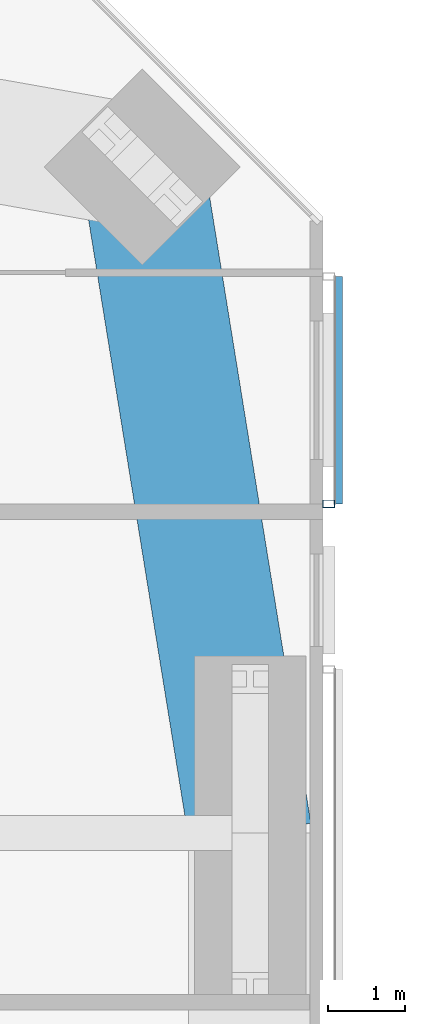
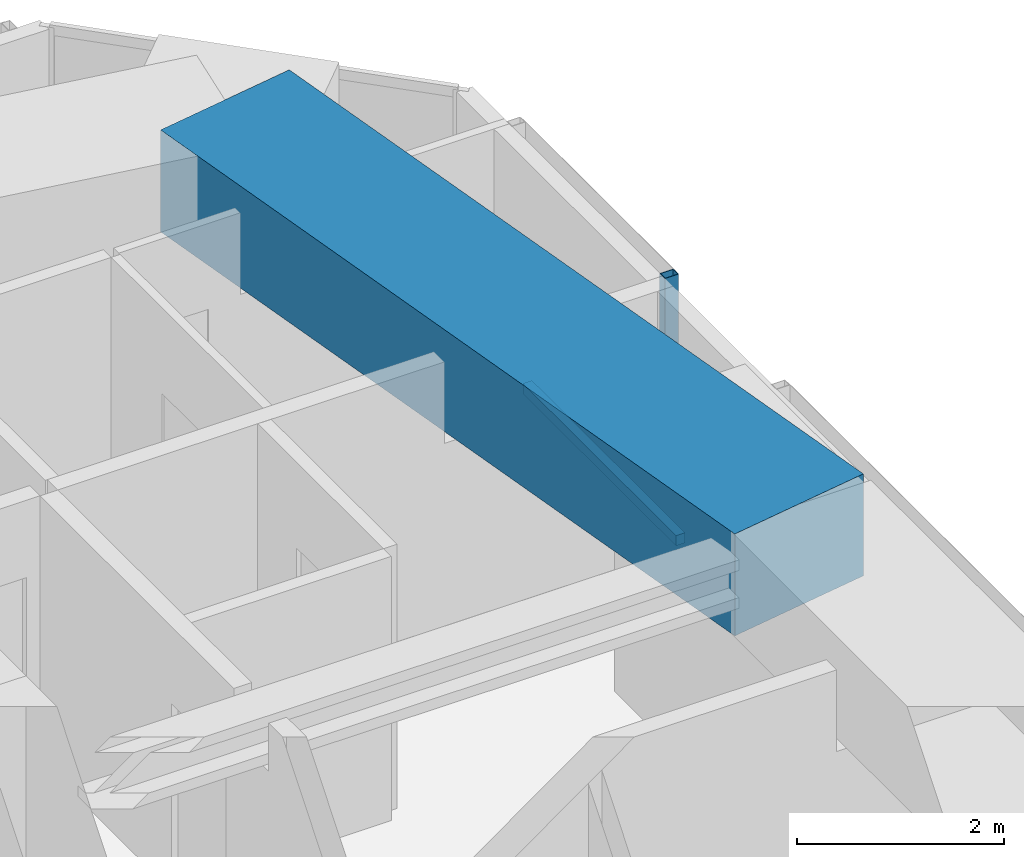
# One storey, part 9 of 22: 2 members, 1 beam, 1 element without a shape of its own.
"""IFC4 building model written with IfcOpenShell, lengths in metres."""

from ifc_helpers import new_model, si_unit, direction, frame, origin, origin_2d, place, context, subcontext, project, spatial, rectangle, hollow_rectangle, extrude, material, material_profile, profile_set, type_object, element, aggregate, save


model = new_model("IFC4")

# Units and contexts
model_context = context("Model", 3, precision=1e-05, world=origin(), true_north=direction((0.0, 1.0)))
body_context = subcontext(model_context, "Body", "Model", "MODEL_VIEW")
ifc_project = project(units=[si_unit("LENGTHUNIT", "METRE"), si_unit("AREAUNIT", "SQUARE_METRE"), si_unit("VOLUMEUNIT", "CUBIC_METRE"), si_unit("PLANEANGLEUNIT", "RADIAN"), si_unit("MASSUNIT", "GRAM", prefix="KILO")], contexts=[model_context])

# Site, building, storey
site_placement = place(None, origin())
site = spatial("IfcSite", under=ifc_project, at=site_placement, CompositionType="ELEMENT")
building_placement = place(site_placement, origin())
building = spatial("IfcBuilding", under=site, at=building_placement, Name="Jalousie Tower", CompositionType="ELEMENT")
storey_placement = place(building_placement, frame((0.0, 0.0, 161.050048828125)))
storey = spatial("IfcBuildingStorey", under=building, at=storey_placement, Name="L43", CompositionType="ELEMENT", Elevation=161.050048828125)

# Beam
ifc_material_1 = material(Name="Concrete f'c 40 MPa", Category="concrete")
ifc_material_profile_1 = material_profile(ifc_material_1, rectangle(XDim=1.60009765625, YDim=1.199951171875, at=origin_2d()), Name="RC 1600x1200")
ifc_profile_set_1 = profile_set([ifc_material_profile_1], Name="Concrete f'c 40 MPa")
beam_type = type_object("IfcBeamType", Name="RC BEAM 1600x1200", PredefinedType="BEAM", material=ifc_profile_set_1)
beam_placement = place(storey_placement, frame((52.050048828125, 25.0, 2.75), z_axis=(-0.159567878256, 0.987186959106, 0.0), x_axis=(-0.987186959106, -0.159567878256, 0.0)))
element("IfcBeam", 1, at=beam_placement, inside=storey, type_object=beam_type, Name="Edge band beam 07-08 under L44", PredefinedType="BEAM", context=body_context, shape_type="SweptSolid", body=[
    extrude(rectangle(XDim=1.60009765625, YDim=1.199951171875, at=origin_2d()), origin(), (0.0, 0.0, 1.0), 8.763916015625),
])

# Curtain wall, members
ifc_material_2 = material(Name="Perforated aluminium sheet", Category="aluminium")
curtain_wall_type = type_object("IfcCurtainWallType", Name="SOLAR SCREEN SS-1", PredefinedType="USERDEFINED", material=ifc_material_2)
curtain_wall_placement = place(storey_placement, origin())
curtain_wall = element("IfcCurtainWall", 2, at=curtain_wall_placement, inside=storey, type_object=curtain_wall_type, Name="Solar screen L43", ObjectType="SOLAR SCREEN SS-1", PredefinedType="USERDEFINED")
ifc_material_3 = material(Name="Steel ASTM A500 Grade C", Category="steel")
ifc_material_profile_2 = material_profile(ifc_material_3, hollow_rectangle(XDim=0.1015625, YDim=0.15234375, WallThickness=0.00634765625, at=origin_2d()), Name="HSS6X4X1/4")
ifc_profile_set_2 = profile_set([ifc_material_profile_2], Name="Steel ASTM A500 Grade C")
member_type_1 = type_object("IfcMemberType", Name="SOLAR SCREEN SS-1 MULLION", PredefinedType="MULLION", material=ifc_profile_set_2)
member_1_placement = place(storey_placement, frame((53.0712890625, 29.27490234375, -0.1201171875), z_axis=(0.0, 0.0, 1.0), x_axis=(0.0, 1.0, 0.0)))
member_1 = element("IfcMember", 3, at=member_1_placement, type_object=member_type_1, Name="SS1 post 1", PredefinedType="MULLION", context=body_context, shape_type="SweptSolid", body=[
    extrude(hollow_rectangle(XDim=0.1015625, YDim=0.15234375, WallThickness=0.00634765625, at=origin_2d()), origin(), (0.0, 0.0, 1.0), 3.22998046875),
])
ifc_material_4 = material(Name="Extruded aluminium screen rail", Category="aluminium")
ifc_material_profile_3 = material_profile(ifc_material_4, rectangle(XDim=0.1015625, YDim=0.1201171875, at=origin_2d()), Name="RAIL 102x120")
ifc_profile_set_3 = profile_set([ifc_material_profile_3], Name="Extruded aluminium screen rail")
member_type_2 = type_object("IfcMemberType", Name="SOLAR SCREEN SS-1 TRANSOM", PredefinedType="USERDEFINED", material=ifc_profile_set_3)
member_2_placement = place(storey_placement, frame((53.1982421875, 29.27490234375, -0.06005859375), z_axis=(0.0, 1.0, 0.0), x_axis=(-1.0, 0.0, 0.0)))
member_2 = element("IfcMember", 4, at=member_2_placement, type_object=member_type_2, Name="SS1 rail", ObjectType="TRANSOM", PredefinedType="USERDEFINED", context=body_context, shape_type="SweptSolid", body=[
    extrude(rectangle(XDim=0.1015625, YDim=0.1201171875, at=origin_2d()), origin(), (0.0, 0.0, 1.0), 2.953857421875),
])
aggregate(curtain_wall, [member_1, member_2])

save(model, "model.ifc")
